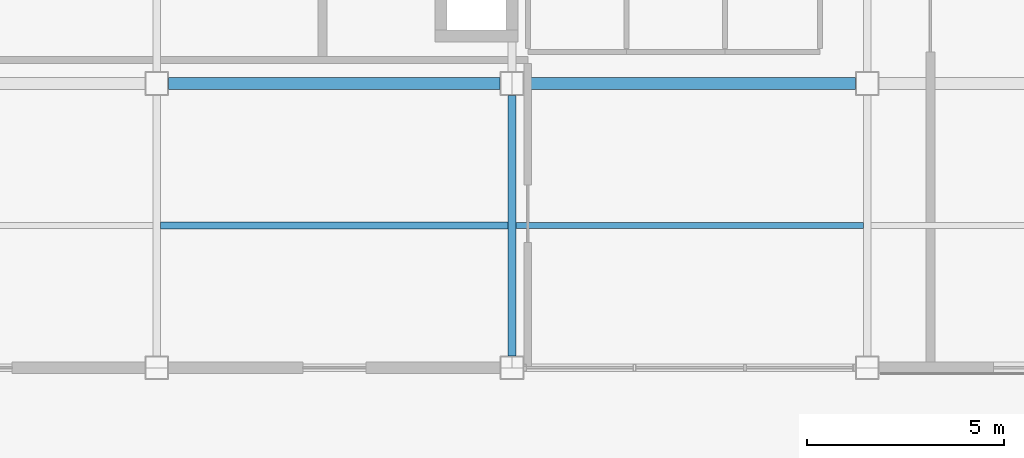
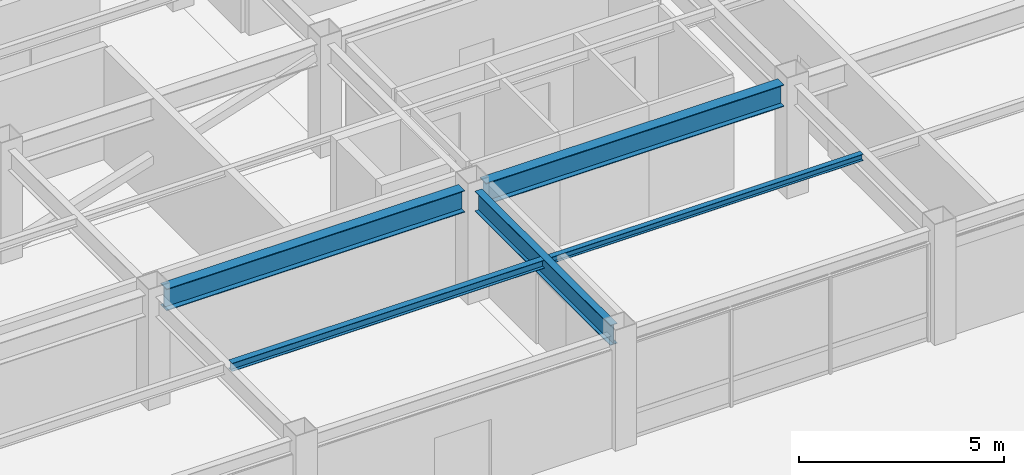
# One storey, part 29 of 43: 5 beams.
"""IFC4 building model written with IfcOpenShell, lengths in metres."""

from ifc_helpers import new_model, si_unit, direction, frame, origin, origin_2d, place, context, subcontext, project, spatial, i_section, extrude, material, material_profile, profile_set, type_object, element, save


model = new_model("IFC4")

# Units and contexts
model_context = context("Model", 3, precision=1e-05, world=origin(), true_north=direction((0.0, 1.0)))
body_context = subcontext(model_context, "Body", "Model", "MODEL_VIEW")
ifc_project = project(units=[si_unit("LENGTHUNIT", "METRE"), si_unit("AREAUNIT", "SQUARE_METRE"), si_unit("VOLUMEUNIT", "CUBIC_METRE"), si_unit("PLANEANGLEUNIT", "RADIAN"), si_unit("MASSUNIT", "GRAM", prefix="KILO")], contexts=[model_context])

# Site, building, storey
site_placement = place(None, origin())
site = spatial("IfcSite", under=ifc_project, at=site_placement, CompositionType="ELEMENT")
building_placement = place(site_placement, origin())
building = spatial("IfcBuilding", under=site, at=building_placement, Name="Kazanami Central Library", CompositionType="ELEMENT")
storey_placement = place(building_placement, frame((0.0, 0.0, 20.60009765625)))
storey = spatial("IfcBuildingStorey", under=building, at=storey_placement, Name="L06", CompositionType="ELEMENT", Elevation=20.60009765625)

# Beams
ifc_material_1 = material(Name="Steel SN400B (235 MPa)", Category="steel")
ifc_material_profile_1 = material_profile(ifc_material_1, i_section(OverallWidth=0.175048828125, OverallDepth=0.243896484375, WebThickness=0.007080078125, FlangeThickness=0.010986328125, at=origin_2d()), Name="H-244x175x7x11")
ifc_profile_set_1 = profile_set([ifc_material_profile_1], Name="Steel SN400B (235 MPa)")
beam_type_1 = type_object("IfcBeamType", Name="BM-B-S6", PredefinedType="JOIST", material=ifc_profile_set_1)
beam_1_placement = place(storey_placement, frame((126.097900390625, 61.199951171875, 3.197998046875), z_axis=(1.0, 0.0, 0.0), x_axis=(0.0, 1.0, 0.0)))
element("IfcBeam", 1, at=beam_1_placement, inside=storey, type_object=beam_type_1, Name="Composite Secondary Joist B-S6 L06 Bay 15/J.1", PredefinedType="JOIST", context=body_context, shape_type="SweptSolid", body=[
    extrude(i_section(OverallWidth=0.175048828125, OverallDepth=0.243896484375, WebThickness=0.007080078125, FlangeThickness=0.010986328125, at=origin_2d()), origin(), (0.0, 0.0, 1.0), 8.80419921875),
])
ifc_material_profile_2 = material_profile(ifc_material_1, i_section(OverallWidth=0.14990234375, OverallDepth=0.194091796875, WebThickness=0.006103515625, FlangeThickness=0.009033203125, at=origin_2d()), Name="H-194x150x6x9")
ifc_profile_set_2 = profile_set([ifc_material_profile_2], Name="Steel SN400B (235 MPa)")
beam_type_2 = type_object("IfcBeamType", Name="BM-B-S7", PredefinedType="JOIST", material=ifc_profile_set_2)
beam_2_placement = place(storey_placement, frame((135.097900390625, 61.199951171875, 3.222900390625), z_axis=(1.0, 0.0, 0.0), x_axis=(0.0, 1.0, 0.0)))
element("IfcBeam", 2, at=beam_2_placement, inside=storey, type_object=beam_type_2, Name="Composite Secondary Joist B-S7 L06 Bay 16/J.1", PredefinedType="JOIST", context=body_context, shape_type="SweptSolid", body=[
    extrude(i_section(OverallWidth=0.14990234375, OverallDepth=0.194091796875, WebThickness=0.006103515625, FlangeThickness=0.009033203125, at=origin_2d()), origin(), (0.0, 0.0, 1.0), 8.80419921875),
])
ifc_material_2 = material(Name="Steel SN490B (325 MPa)", Category="steel")
ifc_material_profile_3 = material_profile(ifc_material_2, i_section(OverallWidth=0.300048828125, OverallDepth=0.64990234375, WebThickness=0.012939453125, FlangeThickness=0.02099609375, at=origin_2d()), Name="H-650x300x13x21")
ifc_profile_set_3 = profile_set([ifc_material_profile_3], Name="Steel SN490B (325 MPa)")
beam_type_3 = type_object("IfcBeamType", Name="BM-G-TR", PredefinedType="BEAM", material=ifc_profile_set_3)
for number, where, z_axis, x_axis, name in (
    (3, (126.298095703125, 64.800048828125, 2.994873046875), (1.0, 0.0, 0.0), (0.0, 1.0, 0.0), "Girder G-TR L06 K/15-16"),
    (4, (135.298095703125, 64.800048828125, 2.994873046875), (1.0, 0.0, 0.0), (0.0, 1.0, 0.0), "Girder G-TR L06 K/16-17"),
):
    element("IfcBeam", number, at=place(storey_placement, frame(where, z_axis=z_axis, x_axis=x_axis)), inside=storey, type_object=beam_type_3, Name=name, PredefinedType="BEAM", context=body_context, shape_type="SweptSolid", body=[
        extrude(i_section(OverallWidth=0.300048828125, OverallDepth=0.64990234375, WebThickness=0.012939453125, FlangeThickness=0.02099609375, at=origin_2d()), origin(), (0.0, 0.0, 1.0), 8.40380859375),
    ])
ifc_material_profile_4 = material_profile(ifc_material_2, i_section(OverallWidth=0.199951171875, OverallDepth=0.60009765625, WebThickness=0.010986328125, FlangeThickness=0.01708984375, at=origin_2d()), Name="H-600x200x11x17")
ifc_profile_set_4 = profile_set([ifc_material_profile_4], Name="Steel SN490B (325 MPa)")
beam_type_4 = type_object("IfcBeamType", Name="BM-G-Y1", PredefinedType="BEAM", material=ifc_profile_set_4)
beam_3_placement = place(storey_placement, frame((135.0, 57.89794921875, 3.02001953125), z_axis=(0.0, 1.0, 0.0), x_axis=(-1.0, 0.0, 0.0)))
element("IfcBeam", 5, at=beam_3_placement, inside=storey, type_object=beam_type_4, Name="Girder G-Y1 L06 16/J-K", PredefinedType="BEAM", context=body_context, shape_type="SweptSolid", body=[
    extrude(i_section(OverallWidth=0.199951171875, OverallDepth=0.60009765625, WebThickness=0.010986328125, FlangeThickness=0.01708984375, at=origin_2d()), origin(), (0.0, 0.0, 1.0), 6.60400390625),
])

save(model, "model.ifc")
